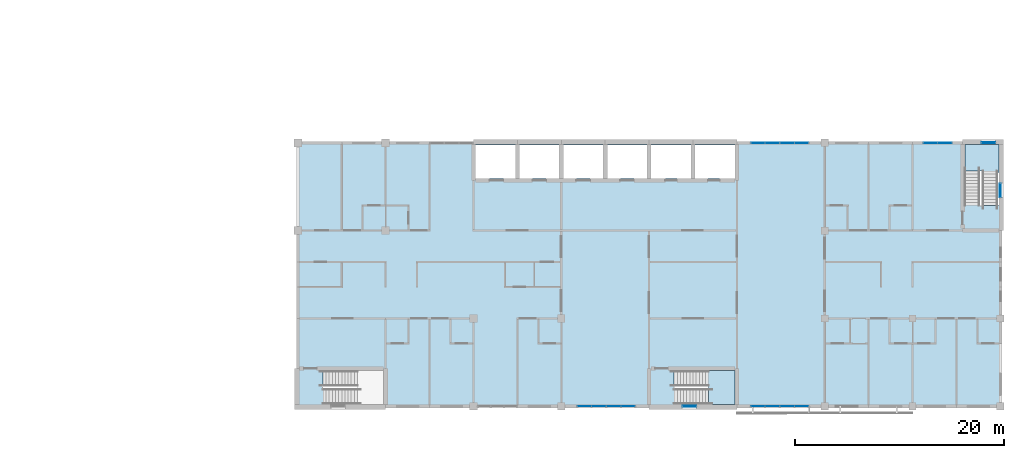
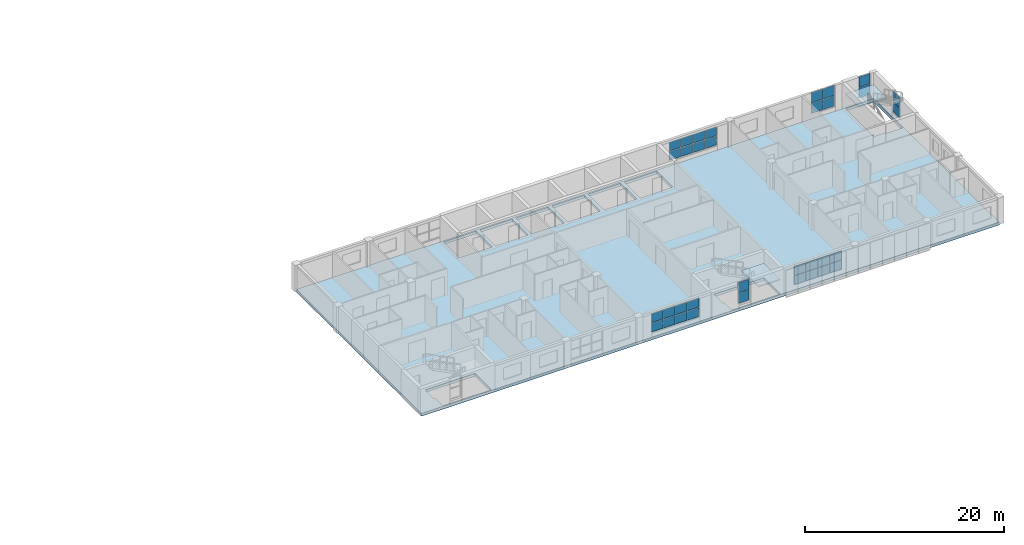
# One storey, part 23 of 46: 34 plates, 3 slabs, 9 elements without a shape of their own.
"""IFC4 building model written with IfcOpenShell, lengths in metres."""

import ifcopenshell
import ifcopenshell.guid

model = None  # the IFC model being written
_history = None  # IfcOwnerHistory: only IFC2X3 demands one
_inside = {}  # id of a spatial element -> (the spatial element, [elements in it])
_under = {}  # id of a project, library or spatial element -> (it, [spatial elements below it])
_declared = {}  # id of a project -> (the project, [libraries it declares])
_typed = {}  # id of a type object -> (the type object, [elements of that type])
_made_of = {}  # id of a material, layer set ... -> (it, [elements and type objects made of it])


def new_model(schema):
    """Start an empty IFC model of exactly this schema.

    Asked for "IFC4X3", IfcOpenShell would pick the latest addendum, in which some entities
    have other attributes; the version numbers below select the first issue.
    IFC2X3 requires an IfcOwnerHistory on every rooted entity: one is made here for all.
    """
    global model, _history
    if schema == "IFC4X3":
        model = ifcopenshell.file(schema_version=(4, 3, 0, 0))
    else:
        model = ifcopenshell.file(schema=schema)
    _inside.clear()
    _under.clear()
    _declared.clear()
    _typed.clear()
    _made_of.clear()
    _history = None
    if model.schema == "IFC2X3":
        org = make("IfcOrganization", Name="unknown")
        user = make(
            "IfcPersonAndOrganization",
            ThePerson=make("IfcPerson", FamilyName="unknown"),
            TheOrganization=org,
        )
        app = make(
            "IfcApplication",
            ApplicationDeveloper=org,
            Version="unknown",
            ApplicationFullName="unknown",
            ApplicationIdentifier="unknown",
        )
        _history = make(
            "IfcOwnerHistory",
            OwningUser=user,
            OwningApplication=app,
            ChangeAction="ADDED",
            CreationDate=0,
        )
    return model


def make(cls, **values):
    """One entity of the class cls with the attributes given. An attribute that is None is left unset."""
    return model.create_entity(
        cls, **{name: value for name, value in values.items() if value is not None}
    )


def rooted(cls, **values):
    """An entity with a GlobalId (a new one), such as an element, a storey or a relation."""
    return make(cls, GlobalId=ifcopenshell.guid.new(), OwnerHistory=_history, **values)


def si_unit(unit_type, name, prefix=None):
    """IfcSIUnit, for example si_unit("LENGTHUNIT", "METRE", prefix="MILLI")."""
    return make("IfcSIUnit", UnitType=unit_type, Prefix=prefix, Name=name)


def assignment(units):
    """IfcUnitAssignment: the units of a project."""
    return None if units is None else make("IfcUnitAssignment", Units=units)


def point(xyz):
    """IfcCartesianPoint."""
    return None if xyz is None else make("IfcCartesianPoint", Coordinates=xyz)


def direction(xyz):
    """IfcDirection."""
    return None if xyz is None else make("IfcDirection", DirectionRatios=xyz)


def frame(location, z_axis=None, x_axis=None):
    """IfcAxis2Placement3D, a coordinate frame: its origin and axes. An axis left out is left unset."""
    return make(
        "IfcAxis2Placement3D",
        Location=point(location),
        Axis=direction(z_axis),
        RefDirection=direction(x_axis),
    )


def frame_2d(location, x_axis=None):
    """IfcAxis2Placement2D, a coordinate frame in the plane: its origin and x axis."""
    return make(
        "IfcAxis2Placement2D", Location=point(location), RefDirection=direction(x_axis)
    )


def origin():
    """The frame at (0, 0, 0) with its axes left unset."""
    return frame((0.0, 0.0, 0.0))


def origin_2d():
    """The frame at (0, 0) in the plane with its x axis left unset."""
    return frame_2d((0.0, 0.0))


def place(relative_to, where):
    """IfcLocalPlacement: puts the frame where relative to a parent placement (None: the world)."""
    return make(
        "IfcLocalPlacement", PlacementRelTo=relative_to, RelativePlacement=where
    )


def context(
    kind, dimensions, precision=None, world=None, true_north=None, identifier=None
):
    """IfcGeometricRepresentationContext, for example the 3D "Model" context."""
    return make(
        "IfcGeometricRepresentationContext",
        ContextIdentifier=identifier,
        ContextType=kind,
        CoordinateSpaceDimension=dimensions,
        Precision=precision,
        WorldCoordinateSystem=world,
        TrueNorth=true_north,
    )


def subcontext(parent, identifier, kind, view, scale=None):
    """IfcGeometricRepresentationSubContext, for example "Body" below "Model"."""
    return make(
        "IfcGeometricRepresentationSubContext",
        ContextIdentifier=identifier,
        ContextType=kind,
        ParentContext=parent,
        TargetScale=scale,
        TargetView=view,
    )


def project(units=None, contexts=None):
    """IfcProject with its units and contexts."""
    return rooted(
        "IfcProject",
        Name="project",
        RepresentationContexts=contexts,
        UnitsInContext=assignment(units),
    )


def spatial(cls, under=None, at=None, **own):
    """A site, building, storey or space (cls), placed at a placement, below another one or the project."""
    s = rooted(cls, ObjectPlacement=at, **own)
    if under is not None:
        _under.setdefault(under.id(), (under, []))[1].append(s)
    return s


def polyline(points):
    """IfcPolyline through the points."""
    return make("IfcPolyline", Points=[point(p) for p in points])


def profile(cls, at=None, kind="AREA", **sizes):
    """A parametric profile (cls). Its sizes go by their IFC names, for example OverallWidth=200.0."""
    return make(cls, ProfileType=kind, Position=at, **sizes)


def rectangle(**sizes):
    """IfcRectangleProfileDef."""
    return profile("IfcRectangleProfileDef", **sizes)


def outline(outer, holes=None, kind="AREA"):
    """IfcArbitraryClosedProfileDef: a profile drawn as a closed curve; with holes, ...WithVoids."""
    if holes is None:
        return make("IfcArbitraryClosedProfileDef", ProfileType=kind, OuterCurve=outer)
    return make(
        "IfcArbitraryProfileDefWithVoids",
        ProfileType=kind,
        OuterCurve=outer,
        InnerCurves=holes,
    )


def extrude(swept, where, along, depth):
    """IfcExtrudedAreaSolid: the profile swept, set in the frame where, extruded along a direction by depth."""
    return make(
        "IfcExtrudedAreaSolid",
        SweptArea=swept,
        Position=where,
        ExtrudedDirection=direction(along),
        Depth=depth,
    )


def shape(context_of_items, identifier, shape_type, items):
    """IfcShapeRepresentation: the items that make up one representation, for example the "Body"."""
    return make(
        "IfcShapeRepresentation",
        ContextOfItems=context_of_items,
        RepresentationIdentifier=identifier,
        RepresentationType=shape_type,
        Items=items,
    )


def material(Name=None, Category=None):
    """IfcMaterial."""
    return make("IfcMaterial", Name=Name, Category=Category)


def layer(
    of_material, thickness, ventilated=None, Name=None, Category=None, Priority=None
):
    """IfcMaterialLayer: one layer of a wall or slab, of a material (None: an air gap)."""
    return make(
        "IfcMaterialLayer",
        Material=of_material,
        LayerThickness=thickness,
        IsVentilated=ventilated,
        Name=Name,
        Category=Category,
        Priority=Priority,
    )


def layer_set(layers, Name=None):
    """IfcMaterialLayerSet."""
    return make("IfcMaterialLayerSet", MaterialLayers=layers, LayerSetName=Name)


def made_of(thing, what):
    """Note that an element or type object is made of a material, layer set ...; save() writes the relation."""
    if what is not None:
        _made_of.setdefault(what.id(), (what, []))[1].append(thing)
    return thing


def type_object(cls, material=None, **own):
    """A type object (cls), such as IfcWallType, which elements share."""
    return made_of(rooted(cls, **own), material)


def element(
    cls,
    number,
    at=None,
    inside=None,
    cuts=None,
    type_object=None,
    material=None,
    context=None,
    identifier="Body",
    shape_type=None,
    held_by="IfcProductDefinitionShape",
    body=None,
    shapes=None,
    **own,
):
    """One element of the class cls, such as IfcWall. Its Tag is "e" and its number.

    at: its placement. inside: the storey or other place that contains it. cuts: it is an
    opening in that element (IfcRelVoidsElement). A single representation is given by context,
    identifier, shape_type and body (its items); several are given by shapes. held_by: the class
    of the entity that holds the representations. save() writes the other relations.
    """
    e = rooted(cls, Tag="e%d" % number, ObjectPlacement=at, **own)
    if body is not None:
        shapes = [shape(context, identifier, shape_type, body)]
    if shapes is not None:
        e.Representation = make(held_by, Representations=shapes)
    if inside is not None:
        _inside.setdefault(inside.id(), (inside, []))[1].append(e)
    if cuts is not None:
        rooted(
            "IfcRelVoidsElement", RelatingBuildingElement=cuts, RelatedOpeningElement=e
        )
    if type_object is not None:
        _typed.setdefault(type_object.id(), (type_object, []))[1].append(e)
    return made_of(e, material)


def aggregate(whole, parts):
    """IfcRelAggregates: a whole, such as a stair, and the parts it consists of."""
    return rooted("IfcRelAggregates", RelatingObject=whole, RelatedObjects=parts)


def save(model, path):
    """Write the relations noted so far, then the file.

    IfcRelAggregates (storeys below a building ...), IfcRelContainedInSpatialStructure (elements
    in a storey), IfcRelDefinesByType, IfcRelAssociatesMaterial and IfcRelDeclares: one each for
    every whole, place, type object, material and project.
    """
    for whole, parts in _under.values():
        aggregate(whole, parts)
    for where, things in _inside.values():
        rooted(
            "IfcRelContainedInSpatialStructure",
            RelatedElements=things,
            RelatingStructure=where,
        )
    for kind, things in _typed.values():
        rooted("IfcRelDefinesByType", RelatedObjects=things, RelatingType=kind)
    for what, things in _made_of.values():
        rooted("IfcRelAssociatesMaterial", RelatedObjects=things, RelatingMaterial=what)
    for by, libraries in _declared.values():
        rooted("IfcRelDeclares", RelatingContext=by, RelatedDefinitions=libraries)
    model.write(path)


model = new_model("IFC4")

# Units and contexts
model_context = context("Model", 3, precision=1e-05, world=origin(), true_north=direction((0.0, 1.0)))
body_context = subcontext(model_context, "Body", "Model", "MODEL_VIEW")
ifc_project = project(units=[si_unit("LENGTHUNIT", "METRE"), si_unit("AREAUNIT", "SQUARE_METRE"), si_unit("VOLUMEUNIT", "CUBIC_METRE"), si_unit("PLANEANGLEUNIT", "RADIAN"), si_unit("MASSUNIT", "GRAM", prefix="KILO")], contexts=[model_context])

# Site, building, storey
site_placement = place(None, origin())
site = spatial("IfcSite", under=ifc_project, at=site_placement, CompositionType="ELEMENT")
building_placement = place(site_placement, origin())
building = spatial("IfcBuilding", under=site, at=building_placement, Name="Yavir Park General Hospital", CompositionType="ELEMENT")
storey_placement = place(building_placement, frame((0.0, 0.0, 18.89990234375)))
storey = spatial("IfcBuildingStorey", under=building, at=storey_placement, Name="L04", CompositionType="ELEMENT", Elevation=18.89990234375)

# Curtain wall, plates
ifc_material_1 = material(Name="Aluminium curtain wall frame with insulated glazing", Category="aluminium")
curtain_wall_type_1 = type_object("IfcCurtainWallType", Name="Day room pocket glazing, ward floors, 2360 high, 1400 module", PredefinedType="NOTDEFINED", material=ifc_material_1)
curtain_wall_1_placement = place(storey_placement, origin())
curtain_wall_1 = element("IfcCurtainWall", 1, at=curtain_wall_1_placement, inside=storey, type_object=curtain_wall_type_1, Name="CW6 L04-006", PredefinedType="NOTDEFINED")
ifc_material_2 = material(Name="Insulated glazed unit 30 mm, low-e coating")
ifc_layer_1 = layer(ifc_material_2, 0.030029296875)
ifc_layer_set_1 = layer_set([ifc_layer_1], Name="Insulated glazed unit 30 mm, low-e coating")
plate_type_1 = type_object("IfcPlateType", Name="Day room pocket glazing, ward floors, 2360 high panel 30", PredefinedType="CURTAIN_PANEL", material=ifc_layer_set_1)
plate_1_placement = place(storey_placement, frame((128.215087890625, 0.0, 0.66015625), z_axis=(0.0, 0.0, 1.0), x_axis=(1.0, 0.0, 0.0)))
plate_1 = element("IfcPlate", 2, at=plate_1_placement, type_object=plate_type_1, Name="CW6 panel 1.1", PredefinedType="CURTAIN_PANEL", context=body_context, shape_type="SweptSolid", body=[
    extrude(rectangle(XDim=1.31005859375, YDim=0.030029296875, at=origin_2d()), origin(), (0.0, 0.0, 1.0), 1.090087890625),
])
plate_2_placement = place(storey_placement, frame((128.215087890625, 0.0, 1.81005859375), z_axis=(0.0, 0.0, 1.0), x_axis=(1.0, 0.0, 0.0)))
plate_2 = element("IfcPlate", 3, at=plate_2_placement, type_object=plate_type_1, Name="CW6 panel 1.2", PredefinedType="CURTAIN_PANEL", context=body_context, shape_type="SweptSolid", body=[
    extrude(rectangle(XDim=1.31005859375, YDim=0.030029296875, at=origin_2d()), origin(), (0.0, 0.0, 1.0), 1.090087890625),
])
plate_3_placement = place(storey_placement, frame((129.60009765625, 0.0, 0.66015625), z_axis=(0.0, 0.0, 1.0), x_axis=(1.0, 0.0, 0.0)))
plate_3 = element("IfcPlate", 4, at=plate_3_placement, type_object=plate_type_1, Name="CW6 panel 2.1", PredefinedType="CURTAIN_PANEL", context=body_context, shape_type="SweptSolid", body=[
    extrude(rectangle(XDim=1.340087890625, YDim=0.030029296875, at=origin_2d()), origin(), (0.0, 0.0, 1.0), 1.090087890625),
])
plate_4_placement = place(storey_placement, frame((129.60009765625, 0.0, 1.81005859375), z_axis=(0.0, 0.0, 1.0), x_axis=(1.0, 0.0, 0.0)))
plate_4 = element("IfcPlate", 5, at=plate_4_placement, type_object=plate_type_1, Name="CW6 panel 2.2", PredefinedType="CURTAIN_PANEL", context=body_context, shape_type="SweptSolid", body=[
    extrude(rectangle(XDim=1.340087890625, YDim=0.030029296875, at=origin_2d()), origin(), (0.0, 0.0, 1.0), 1.090087890625),
])
plate_5_placement = place(storey_placement, frame((131.0, 0.0, 0.66015625), z_axis=(0.0, 0.0, 1.0), x_axis=(1.0, 0.0, 0.0)))
plate_5 = element("IfcPlate", 6, at=plate_5_placement, type_object=plate_type_1, Name="CW6 panel 3.1", PredefinedType="CURTAIN_PANEL", context=body_context, shape_type="SweptSolid", body=[
    extrude(rectangle(XDim=1.340087890625, YDim=0.030029296875, at=origin_2d()), origin(), (0.0, 0.0, 1.0), 1.090087890625),
])
plate_6_placement = place(storey_placement, frame((131.0, 0.0, 1.81005859375), z_axis=(0.0, 0.0, 1.0), x_axis=(1.0, 0.0, 0.0)))
plate_6 = element("IfcPlate", 7, at=plate_6_placement, type_object=plate_type_1, Name="CW6 panel 3.2", PredefinedType="CURTAIN_PANEL", context=body_context, shape_type="SweptSolid", body=[
    extrude(rectangle(XDim=1.340087890625, YDim=0.030029296875, at=origin_2d()), origin(), (0.0, 0.0, 1.0), 1.090087890625),
])
plate_7_placement = place(storey_placement, frame((132.385009765625, 0.0, 0.66015625), z_axis=(0.0, 0.0, 1.0), x_axis=(1.0, 0.0, 0.0)))
plate_7 = element("IfcPlate", 8, at=plate_7_placement, type_object=plate_type_1, Name="CW6 panel 4.1", PredefinedType="CURTAIN_PANEL", context=body_context, shape_type="SweptSolid", body=[
    extrude(rectangle(XDim=1.31005859375, YDim=0.030029296875, at=origin_2d()), origin(), (0.0, 0.0, 1.0), 1.090087890625),
])
plate_8_placement = place(storey_placement, frame((132.385009765625, 0.0, 1.81005859375), z_axis=(0.0, 0.0, 1.0), x_axis=(1.0, 0.0, 0.0)))
plate_8 = element("IfcPlate", 9, at=plate_8_placement, type_object=plate_type_1, Name="CW6 panel 4.2", PredefinedType="CURTAIN_PANEL", context=body_context, shape_type="SweptSolid", body=[
    extrude(rectangle(XDim=1.31005859375, YDim=0.030029296875, at=origin_2d()), origin(), (0.0, 0.0, 1.0), 1.090087890625),
])
aggregate(curtain_wall_1, [plate_1, plate_2, plate_3, plate_4, plate_5, plate_6, plate_7, plate_8])

curtain_wall_2_placement = place(storey_placement, origin())
curtain_wall_2 = element("IfcCurtainWall", 10, at=curtain_wall_2_placement, inside=storey, type_object=curtain_wall_type_1, Name="CW6 L04-008", PredefinedType="NOTDEFINED")
plate_9_placement = place(storey_placement, frame((144.81494140625, 0.0, 0.66015625), z_axis=(0.0, 0.0, 1.0), x_axis=(1.0, 0.0, 0.0)))
plate_9 = element("IfcPlate", 11, at=plate_9_placement, type_object=plate_type_1, Name="CW6 panel 1.1", PredefinedType="CURTAIN_PANEL", context=body_context, shape_type="SweptSolid", body=[
    extrude(rectangle(XDim=1.31005859375, YDim=0.030029296875, at=origin_2d()), origin(), (0.0, 0.0, 1.0), 1.090087890625),
])
plate_10_placement = place(storey_placement, frame((144.81494140625, 0.0, 1.81005859375), z_axis=(0.0, 0.0, 1.0), x_axis=(1.0, 0.0, 0.0)))
plate_10 = element("IfcPlate", 12, at=plate_10_placement, type_object=plate_type_1, Name="CW6 panel 1.2", PredefinedType="CURTAIN_PANEL", context=body_context, shape_type="SweptSolid", body=[
    extrude(rectangle(XDim=1.31005859375, YDim=0.030029296875, at=origin_2d()), origin(), (0.0, 0.0, 1.0), 1.090087890625),
])
plate_11_placement = place(storey_placement, frame((146.199951171875, 0.0, 0.66015625), z_axis=(0.0, 0.0, 1.0), x_axis=(1.0, 0.0, 0.0)))
plate_11 = element("IfcPlate", 13, at=plate_11_placement, type_object=plate_type_1, Name="CW6 panel 2.1", PredefinedType="CURTAIN_PANEL", context=body_context, shape_type="SweptSolid", body=[
    extrude(rectangle(XDim=1.340087890625, YDim=0.030029296875, at=origin_2d()), origin(), (0.0, 0.0, 1.0), 1.090087890625),
])
plate_12_placement = place(storey_placement, frame((146.199951171875, 0.0, 1.81005859375), z_axis=(0.0, 0.0, 1.0), x_axis=(1.0, 0.0, 0.0)))
plate_12 = element("IfcPlate", 14, at=plate_12_placement, type_object=plate_type_1, Name="CW6 panel 2.2", PredefinedType="CURTAIN_PANEL", context=body_context, shape_type="SweptSolid", body=[
    extrude(rectangle(XDim=1.340087890625, YDim=0.030029296875, at=origin_2d()), origin(), (0.0, 0.0, 1.0), 1.090087890625),
])
plate_13_placement = place(storey_placement, frame((147.60009765625, 0.0, 0.66015625), z_axis=(0.0, 0.0, 1.0), x_axis=(1.0, 0.0, 0.0)))
plate_13 = element("IfcPlate", 15, at=plate_13_placement, type_object=plate_type_1, Name="CW6 panel 3.1", PredefinedType="CURTAIN_PANEL", context=body_context, shape_type="SweptSolid", body=[
    extrude(rectangle(XDim=1.340087890625, YDim=0.030029296875, at=origin_2d()), origin(), (0.0, 0.0, 1.0), 1.090087890625),
])
plate_14_placement = place(storey_placement, frame((147.60009765625, 0.0, 1.81005859375), z_axis=(0.0, 0.0, 1.0), x_axis=(1.0, 0.0, 0.0)))
plate_14 = element("IfcPlate", 16, at=plate_14_placement, type_object=plate_type_1, Name="CW6 panel 3.2", PredefinedType="CURTAIN_PANEL", context=body_context, shape_type="SweptSolid", body=[
    extrude(rectangle(XDim=1.340087890625, YDim=0.030029296875, at=origin_2d()), origin(), (0.0, 0.0, 1.0), 1.090087890625),
])
plate_15_placement = place(storey_placement, frame((148.985107421875, 0.0, 0.66015625), z_axis=(0.0, 0.0, 1.0), x_axis=(1.0, 0.0, 0.0)))
plate_15 = element("IfcPlate", 17, at=plate_15_placement, type_object=plate_type_1, Name="CW6 panel 4.1", PredefinedType="CURTAIN_PANEL", context=body_context, shape_type="SweptSolid", body=[
    extrude(rectangle(XDim=1.31005859375, YDim=0.030029296875, at=origin_2d()), origin(), (0.0, 0.0, 1.0), 1.090087890625),
])
plate_16_placement = place(storey_placement, frame((148.985107421875, 0.0, 1.81005859375), z_axis=(0.0, 0.0, 1.0), x_axis=(1.0, 0.0, 0.0)))
plate_16 = element("IfcPlate", 18, at=plate_16_placement, type_object=plate_type_1, Name="CW6 panel 4.2", PredefinedType="CURTAIN_PANEL", context=body_context, shape_type="SweptSolid", body=[
    extrude(rectangle(XDim=1.31005859375, YDim=0.030029296875, at=origin_2d()), origin(), (0.0, 0.0, 1.0), 1.090087890625),
])
aggregate(curtain_wall_2, [plate_9, plate_10, plate_11, plate_12, plate_13, plate_14, plate_15, plate_16])

curtain_wall_3_placement = place(storey_placement, origin())
curtain_wall_3 = element("IfcCurtainWall", 19, at=curtain_wall_3_placement, inside=storey, type_object=curtain_wall_type_1, Name="CW6 L04-011", PredefinedType="NOTDEFINED")
plate_17_placement = place(storey_placement, frame((144.81494140625, 25.199951171875, 0.66015625), z_axis=(0.0, 0.0, 1.0), x_axis=(1.0, 0.0, 0.0)))
plate_17 = element("IfcPlate", 20, at=plate_17_placement, type_object=plate_type_1, Name="CW6 panel 1.1", PredefinedType="CURTAIN_PANEL", context=body_context, shape_type="SweptSolid", body=[
    extrude(rectangle(XDim=1.31005859375, YDim=0.030029296875, at=origin_2d()), origin(), (0.0, 0.0, 1.0), 1.090087890625),
])
plate_18_placement = place(storey_placement, frame((144.81494140625, 25.199951171875, 1.81005859375), z_axis=(0.0, 0.0, 1.0), x_axis=(1.0, 0.0, 0.0)))
plate_18 = element("IfcPlate", 21, at=plate_18_placement, type_object=plate_type_1, Name="CW6 panel 1.2", PredefinedType="CURTAIN_PANEL", context=body_context, shape_type="SweptSolid", body=[
    extrude(rectangle(XDim=1.31005859375, YDim=0.030029296875, at=origin_2d()), origin(), (0.0, 0.0, 1.0), 1.090087890625),
])
plate_19_placement = place(storey_placement, frame((146.199951171875, 25.199951171875, 0.66015625), z_axis=(0.0, 0.0, 1.0), x_axis=(1.0, 0.0, 0.0)))
plate_19 = element("IfcPlate", 22, at=plate_19_placement, type_object=plate_type_1, Name="CW6 panel 2.1", PredefinedType="CURTAIN_PANEL", context=body_context, shape_type="SweptSolid", body=[
    extrude(rectangle(XDim=1.340087890625, YDim=0.030029296875, at=origin_2d()), origin(), (0.0, 0.0, 1.0), 1.090087890625),
])
plate_20_placement = place(storey_placement, frame((146.199951171875, 25.199951171875, 1.81005859375), z_axis=(0.0, 0.0, 1.0), x_axis=(1.0, 0.0, 0.0)))
plate_20 = element("IfcPlate", 23, at=plate_20_placement, type_object=plate_type_1, Name="CW6 panel 2.2", PredefinedType="CURTAIN_PANEL", context=body_context, shape_type="SweptSolid", body=[
    extrude(rectangle(XDim=1.340087890625, YDim=0.030029296875, at=origin_2d()), origin(), (0.0, 0.0, 1.0), 1.090087890625),
])
plate_21_placement = place(storey_placement, frame((147.60009765625, 25.199951171875, 0.66015625), z_axis=(0.0, 0.0, 1.0), x_axis=(1.0, 0.0, 0.0)))
plate_21 = element("IfcPlate", 24, at=plate_21_placement, type_object=plate_type_1, Name="CW6 panel 3.1", PredefinedType="CURTAIN_PANEL", context=body_context, shape_type="SweptSolid", body=[
    extrude(rectangle(XDim=1.340087890625, YDim=0.030029296875, at=origin_2d()), origin(), (0.0, 0.0, 1.0), 1.090087890625),
])
plate_22_placement = place(storey_placement, frame((147.60009765625, 25.199951171875, 1.81005859375), z_axis=(0.0, 0.0, 1.0), x_axis=(1.0, 0.0, 0.0)))
plate_22 = element("IfcPlate", 25, at=plate_22_placement, type_object=plate_type_1, Name="CW6 panel 3.2", PredefinedType="CURTAIN_PANEL", context=body_context, shape_type="SweptSolid", body=[
    extrude(rectangle(XDim=1.340087890625, YDim=0.030029296875, at=origin_2d()), origin(), (0.0, 0.0, 1.0), 1.090087890625),
])
plate_23_placement = place(storey_placement, frame((148.985107421875, 25.199951171875, 0.66015625), z_axis=(0.0, 0.0, 1.0), x_axis=(1.0, 0.0, 0.0)))
plate_23 = element("IfcPlate", 26, at=plate_23_placement, type_object=plate_type_1, Name="CW6 panel 4.1", PredefinedType="CURTAIN_PANEL", context=body_context, shape_type="SweptSolid", body=[
    extrude(rectangle(XDim=1.31005859375, YDim=0.030029296875, at=origin_2d()), origin(), (0.0, 0.0, 1.0), 1.090087890625),
])
plate_24_placement = place(storey_placement, frame((148.985107421875, 25.199951171875, 1.81005859375), z_axis=(0.0, 0.0, 1.0), x_axis=(1.0, 0.0, 0.0)))
plate_24 = element("IfcPlate", 27, at=plate_24_placement, type_object=plate_type_1, Name="CW6 panel 4.2", PredefinedType="CURTAIN_PANEL", context=body_context, shape_type="SweptSolid", body=[
    extrude(rectangle(XDim=1.31005859375, YDim=0.030029296875, at=origin_2d()), origin(), (0.0, 0.0, 1.0), 1.090087890625),
])
aggregate(curtain_wall_3, [plate_17, plate_18, plate_19, plate_20, plate_21, plate_22, plate_23, plate_24])

# Stair, slab
ifc_material_3 = material(Name="Concrete C30/37", Category="concrete")
stair_type = type_object("IfcStairType", Name="Patient escape stair, 24 risers of 150 mm, 1400 mm flights", PredefinedType="HALF_TURN_STAIR", material=ifc_material_3)
stair_1_placement = place(storey_placement, origin())
stair_1 = element("IfcStair", 28, at=stair_1_placement, inside=storey, type_object=stair_type, Name="Stair SU5, L04 to L05", PredefinedType="HALF_TURN_STAIR")
ifc_material_4 = material(Name="Concrete C30/37", Category="concrete")
ifc_layer_2 = layer(ifc_material_4, 0.159912109375)
ifc_layer_set_2 = layer_set([ifc_layer_2], Name="Concrete C30/37")
slab_type_1 = type_object("IfcSlabType", Name="Patient escape stair half landing, reinforced concrete 160 mm", PredefinedType="LANDING", material=ifc_layer_set_2)
slab_1_placement = place(storey_placement, frame((0.0, 0.0, 1.64013671875)))
slab_1 = element("IfcSlab", 29, at=slab_1_placement, type_object=slab_type_1, Name="SU5 landing 1", PredefinedType="LANDING", context=body_context, shape_type="SweptSolid", body=[
    extrude(outline(polyline([(140.098388671875, 0.14990234375), (142.60009765625, 0.14990234375), (142.60009765625, 3.39990234375), (139.949951171875, 3.39990234375), (139.949951171875, 1.949951171875), (140.098388671875, 1.949951171875), (140.098388671875, 0.14990234375)])), origin(), (0.0, 0.0, 1.0), 0.159912109375),
])
aggregate(stair_1, [slab_1])

stair_2_placement = place(storey_placement, origin())
stair_2 = element("IfcStair", 30, at=stair_2_placement, inside=storey, type_object=stair_type, Name="Stair SU6, L04 to L05", PredefinedType="HALF_TURN_STAIR")
slab_2_placement = place(storey_placement, frame((0.0, 0.0, 1.64013671875)))
slab_2 = element("IfcSlab", 31, at=slab_2_placement, type_object=slab_type_1, Name="SU6 landing 1", PredefinedType="LANDING", context=body_context, shape_type="SweptSolid", body=[
    extrude(outline(polyline([(164.60009765625, 22.49853515625), (164.60009765625, 25.050048828125), (167.85009765625, 25.050048828125), (167.85009765625, 22.35009765625), (166.300048828125, 22.35009765625), (166.300048828125, 22.49853515625), (164.60009765625, 22.49853515625)])), origin(), (0.0, 0.0, 1.0), 0.159912109375),
])
aggregate(stair_2, [slab_2])

# Slab
ifc_material_5 = material(Name="Concrete C35/45", Category="concrete")
ifc_layer_3 = layer(ifc_material_5, 0.340087890625)
ifc_layer_set_3 = layer_set([ifc_layer_3], Name="Concrete C35/45")
slab_type_2 = type_object("IfcSlabType", Name="RC SLAB FLOOR 340", PredefinedType="FLOOR", material=ifc_layer_set_3)
slab_3_placement = place(storey_placement, frame((0.0, 0.0, -0.340087890625)))
element("IfcSlab", 32, at=slab_3_placement, inside=storey, type_object=slab_type_2, Name="S:L04:1", PredefinedType="FLOOR", context=body_context, shape_type="SweptSolid", body=[
    extrude(outline(polyline([(100.800048828125, 25.199951171875), (100.800048828125, 0.0), (168.0, 0.0), (168.0, 25.199951171875), (100.800048828125, 25.199951171875)]), holes=[polyline([(117.800048828125, 21.800048828125), (117.800048828125, 25.0), (121.60009765625, 25.0), (121.60009765625, 21.800048828125), (117.800048828125, 21.800048828125)]), polyline([(122.0, 21.800048828125), (122.0, 25.0), (125.800048828125, 25.0), (125.800048828125, 21.800048828125), (122.0, 21.800048828125)]), polyline([(126.199951171875, 21.800048828125), (126.199951171875, 25.0), (130.0, 25.0), (130.0, 21.800048828125), (126.199951171875, 21.800048828125)]), polyline([(130.39990234375, 21.800048828125), (130.39990234375, 25.0), (134.199951171875, 25.0), (134.199951171875, 21.800048828125), (130.39990234375, 21.800048828125)]), polyline([(134.60009765625, 25.0), (138.39990234375, 25.0), (138.39990234375, 21.800048828125), (134.60009765625, 21.800048828125), (134.60009765625, 25.0)]), polyline([(138.800048828125, 25.0), (142.60009765625, 25.0), (142.60009765625, 21.800048828125), (138.800048828125, 21.800048828125), (138.800048828125, 25.0)]), polyline([(103.3515625, 1.64990234375), (103.201416015625, 1.64990234375), (103.201416015625, 3.39990234375), (109.0, 3.39990234375), (109.0, 0.14990234375), (103.3515625, 0.14990234375), (103.3515625, 1.64990234375)]), polyline([(136.801513671875, 3.39990234375), (142.60009765625, 3.39990234375), (142.60009765625, 0.14990234375), (136.951416015625, 0.14990234375), (136.951416015625, 1.64990234375), (136.801513671875, 1.64990234375), (136.801513671875, 3.39990234375)]), polyline([(166.0, 19.3515625), (164.60009765625, 19.3515625), (164.60009765625, 25.050048828125), (167.85009765625, 25.050048828125), (167.85009765625, 19.201416015625), (166.0, 19.201416015625), (166.0, 19.3515625)])]), origin(), (0.0, 0.0, 1.0), 0.340087890625),
])

# Curtain wall, plates
ifc_material_6 = material(Name="Aluminium curtain wall frame with insulated glazing", Category="aluminium")
curtain_wall_type_2 = type_object("IfcCurtainWallType", Name="Stair light slot, ward floors, 2660 high, 1400 module", PredefinedType="NOTDEFINED", material=ifc_material_6)
curtain_wall_4_placement = place(storey_placement, origin())
curtain_wall_4 = element("IfcCurtainWall", 33, at=curtain_wall_4_placement, inside=storey, type_object=curtain_wall_type_2, Name="CW10 L04-007", PredefinedType="NOTDEFINED")
ifc_material_7 = material(Name="Fire-resisting glazed unit 70 mm")
ifc_layer_4 = layer(ifc_material_7, 0.070068359375)
ifc_layer_set_4 = layer_set([ifc_layer_4], Name="Fire-resisting glazed unit 70 mm")
plate_type_2 = type_object("IfcPlateType", Name="Stair light slot, ward floors, 2660 high panel 70", PredefinedType="CURTAIN_PANEL", material=ifc_layer_set_4)
plate_25_placement = place(storey_placement, frame((138.25, 0.0, 0.650146484375), z_axis=(0.0, 0.0, 1.0), x_axis=(1.0, 0.0, 0.0)))
plate_25 = element("IfcPlate", 34, at=plate_25_placement, type_object=plate_type_2, Name="CW10 panel 1.1", PredefinedType="CURTAIN_PANEL", context=body_context, shape_type="SweptSolid", body=[
    extrude(rectangle(XDim=1.300048828125, YDim=0.070068359375, at=origin_2d()), origin(), (0.0, 0.0, 1.0), 1.2548828125),
])
plate_26_placement = place(storey_placement, frame((138.25, 0.0, 1.955078125), z_axis=(0.0, 0.0, 1.0), x_axis=(1.0, 0.0, 0.0)))
plate_26 = element("IfcPlate", 35, at=plate_26_placement, type_object=plate_type_2, Name="CW10 panel 1.2", PredefinedType="CURTAIN_PANEL", context=body_context, shape_type="SweptSolid", body=[
    extrude(rectangle(XDim=1.300048828125, YDim=0.070068359375, at=origin_2d()), origin(), (0.0, 0.0, 1.0), 1.2548828125),
])
aggregate(curtain_wall_4, [plate_25, plate_26])

curtain_wall_5_placement = place(storey_placement, origin())
curtain_wall_5 = element("IfcCurtainWall", 36, at=curtain_wall_5_placement, inside=storey, type_object=curtain_wall_type_2, Name="CW10 L04-013", PredefinedType="NOTDEFINED")
plate_27_placement = place(storey_placement, frame((166.85009765625, 25.199951171875, 0.650146484375), z_axis=(0.0, 0.0, 1.0), x_axis=(1.0, 0.0, 0.0)))
plate_27 = element("IfcPlate", 37, at=plate_27_placement, type_object=plate_type_2, Name="CW10 panel 1.1", PredefinedType="CURTAIN_PANEL", context=body_context, shape_type="SweptSolid", body=[
    extrude(rectangle(XDim=1.300048828125, YDim=0.070068359375, at=origin_2d()), origin(), (0.0, 0.0, 1.0), 1.2548828125),
])
plate_28_placement = place(storey_placement, frame((166.85009765625, 25.199951171875, 1.955078125), z_axis=(0.0, 0.0, 1.0), x_axis=(1.0, 0.0, 0.0)))
plate_28 = element("IfcPlate", 38, at=plate_28_placement, type_object=plate_type_2, Name="CW10 panel 1.2", PredefinedType="CURTAIN_PANEL", context=body_context, shape_type="SweptSolid", body=[
    extrude(rectangle(XDim=1.300048828125, YDim=0.070068359375, at=origin_2d()), origin(), (0.0, 0.0, 1.0), 1.2548828125),
])
aggregate(curtain_wall_5, [plate_27, plate_28])

curtain_wall_6_placement = place(storey_placement, origin())
curtain_wall_6 = element("IfcCurtainWall", 39, at=curtain_wall_6_placement, inside=storey, type_object=curtain_wall_type_2, Name="CW10 L04-027", PredefinedType="NOTDEFINED")
plate_29_placement = place(storey_placement, frame((168.0, 20.64990234375, 0.650146484375), z_axis=(0.0, 0.0, 1.0), x_axis=(0.0, 1.0, 0.0)))
plate_29 = element("IfcPlate", 40, at=plate_29_placement, type_object=plate_type_2, Name="CW10 panel 1.1", PredefinedType="CURTAIN_PANEL", context=body_context, shape_type="SweptSolid", body=[
    extrude(rectangle(XDim=1.300048828125, YDim=0.070068359375, at=origin_2d()), origin(), (0.0, 0.0, 1.0), 1.2548828125),
])
plate_30_placement = place(storey_placement, frame((168.0, 20.64990234375, 1.955078125), z_axis=(0.0, 0.0, 1.0), x_axis=(0.0, 1.0, 0.0)))
plate_30 = element("IfcPlate", 41, at=plate_30_placement, type_object=plate_type_2, Name="CW10 panel 1.2", PredefinedType="CURTAIN_PANEL", context=body_context, shape_type="SweptSolid", body=[
    extrude(rectangle(XDim=1.300048828125, YDim=0.070068359375, at=origin_2d()), origin(), (0.0, 0.0, 1.0), 1.2548828125),
])
aggregate(curtain_wall_6, [plate_29, plate_30])

ifc_material_8 = material(Name="Aluminium curtain wall frame with insulated glazing", Category="aluminium")
curtain_wall_type_3 = type_object("IfcCurtainWallType", Name="Ward corridor end glazing, 2660 high, 1400 module", PredefinedType="NOTDEFINED", material=ifc_material_8)
curtain_wall_7_placement = place(storey_placement, origin())
curtain_wall_7 = element("IfcCurtainWall", 42, at=curtain_wall_7_placement, inside=storey, type_object=curtain_wall_type_3, Name="CW15 L04-012", PredefinedType="NOTDEFINED")
ifc_material_9 = material(Name="Insulated glazed unit 30 mm, low-e coating")
ifc_layer_5 = layer(ifc_material_9, 0.030029296875)
ifc_layer_set_5 = layer_set([ifc_layer_5], Name="Insulated glazed unit 30 mm, low-e coating")
plate_type_3 = type_object("IfcPlateType", Name="Ward corridor end glazing, 2660 high panel 30", PredefinedType="CURTAIN_PANEL", material=ifc_layer_set_5)
plate_31_placement = place(storey_placement, frame((161.3125, 25.199951171875, 0.650146484375), z_axis=(0.0, 0.0, 1.0), x_axis=(1.0, 0.0, 0.0)))
plate_31 = element("IfcPlate", 43, at=plate_31_placement, type_object=plate_type_3, Name="CW15 panel 1.1", PredefinedType="CURTAIN_PANEL", context=body_context, shape_type="SweptSolid", body=[
    extrude(rectangle(XDim=1.324951171875, YDim=0.030029296875, at=origin_2d()), origin(), (0.0, 0.0, 1.0), 1.2548828125),
])
plate_32_placement = place(storey_placement, frame((161.3125, 25.199951171875, 1.955078125), z_axis=(0.0, 0.0, 1.0), x_axis=(1.0, 0.0, 0.0)))
plate_32 = element("IfcPlate", 44, at=plate_32_placement, type_object=plate_type_3, Name="CW15 panel 1.2", PredefinedType="CURTAIN_PANEL", context=body_context, shape_type="SweptSolid", body=[
    extrude(rectangle(XDim=1.324951171875, YDim=0.030029296875, at=origin_2d()), origin(), (0.0, 0.0, 1.0), 1.2548828125),
])
plate_33_placement = place(storey_placement, frame((162.6875, 25.199951171875, 0.650146484375), z_axis=(0.0, 0.0, 1.0), x_axis=(1.0, 0.0, 0.0)))
plate_33 = element("IfcPlate", 45, at=plate_33_placement, type_object=plate_type_3, Name="CW15 panel 2.1", PredefinedType="CURTAIN_PANEL", context=body_context, shape_type="SweptSolid", body=[
    extrude(rectangle(XDim=1.324951171875, YDim=0.030029296875, at=origin_2d()), origin(), (0.0, 0.0, 1.0), 1.2548828125),
])
plate_34_placement = place(storey_placement, frame((162.6875, 25.199951171875, 1.955078125), z_axis=(0.0, 0.0, 1.0), x_axis=(1.0, 0.0, 0.0)))
plate_34 = element("IfcPlate", 46, at=plate_34_placement, type_object=plate_type_3, Name="CW15 panel 2.2", PredefinedType="CURTAIN_PANEL", context=body_context, shape_type="SweptSolid", body=[
    extrude(rectangle(XDim=1.324951171875, YDim=0.030029296875, at=origin_2d()), origin(), (0.0, 0.0, 1.0), 1.2548828125),
])
aggregate(curtain_wall_7, [plate_31, plate_32, plate_33, plate_34])

save(model, "model.ifc")
